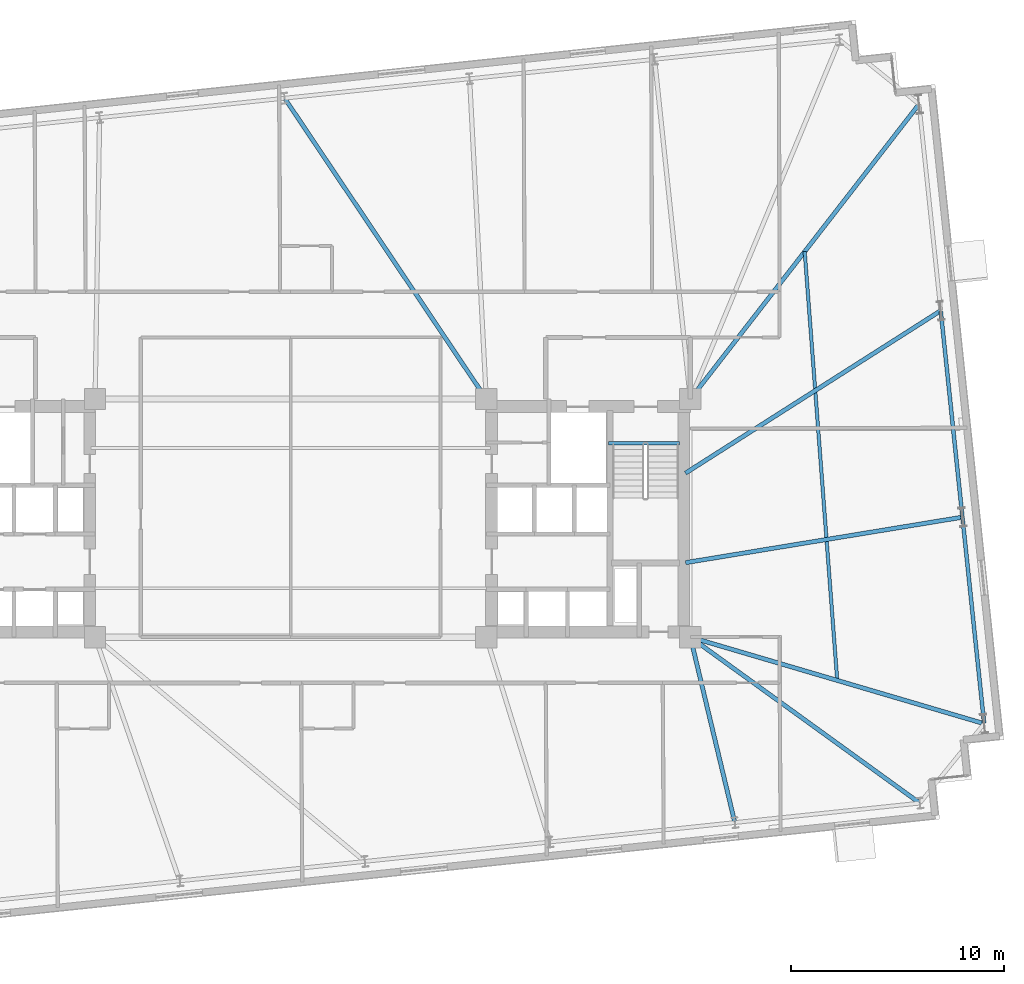
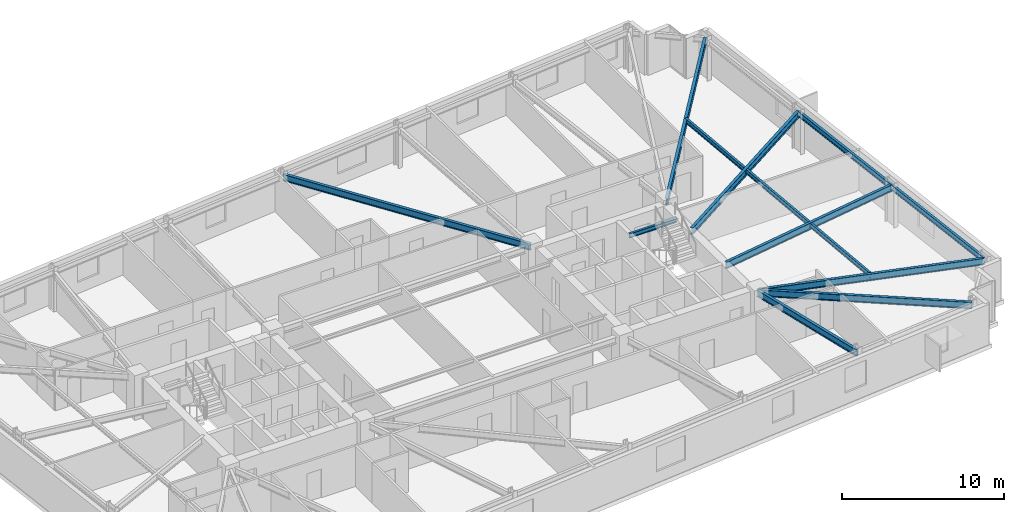
# One storey, part 7 of 18: 11 beams.
"""IFC4 building model written with IfcOpenShell, lengths in metres."""

from ifc_helpers import new_model, si_unit, direction, frame, origin, origin_2d, place, context, subcontext, project, spatial, i_section, extrude, material, material_profile, profile_set, type_object, element, save


model = new_model("IFC4")

# Units and contexts
model_context = context("Model", 3, precision=1e-05, world=origin(), true_north=direction((0.0, 1.0)))
body_context = subcontext(model_context, "Body", "Model", "MODEL_VIEW")
ifc_project = project(units=[si_unit("LENGTHUNIT", "METRE"), si_unit("AREAUNIT", "SQUARE_METRE"), si_unit("VOLUMEUNIT", "CUBIC_METRE"), si_unit("PLANEANGLEUNIT", "RADIAN"), si_unit("MASSUNIT", "GRAM", prefix="KILO")], contexts=[model_context])

# Site, building, storey
site_placement = place(None, origin())
site = spatial("IfcSite", under=ifc_project, at=site_placement, CompositionType="ELEMENT")
building_placement = place(site_placement, origin())
building = spatial("IfcBuilding", under=site, at=building_placement, Name="Qobustan Lattice House", CompositionType="ELEMENT")
storey_placement = place(building_placement, frame((0.0, 0.0, 109.14990234375)))
storey = spatial("IfcBuildingStorey", under=building, at=storey_placement, Name="L30", CompositionType="ELEMENT", Elevation=109.14990234375)

# Beams
ifc_material_1 = material(Name="Steel S355", Category="steel")
ifc_material_profile_1 = material_profile(ifc_material_1, i_section(OverallWidth=0.199951171875, OverallDepth=0.5, WebThickness=0.01025390625, FlangeThickness=0.01611328125, FilletRadius=0.02099609375, at=origin_2d()), Name="IPE500")
ifc_profile_set_1 = profile_set([ifc_material_profile_1], Name="Steel S355")
beam_type_1 = type_object("IfcBeamType", Name="BM-FLG-IPE500", PredefinedType="USERDEFINED", material=ifc_profile_set_1)
beam_1_placement = place(storey_placement, frame((20.885009765625, -14.297607421875, 2.795166015625), z_axis=(-0.233107910855, 0.97245087377, 0.0), x_axis=(-0.97245087377, -0.233107910855, 0.0)))
element("IfcBeam", 1, at=beam_1_placement, inside=storey, type_object=beam_type_1, Name="L30 primary floor girder RAD-S6", ObjectType="GIRDER", PredefinedType="USERDEFINED", context=body_context, shape_type="SweptSolid", body=[
    extrude(i_section(OverallWidth=0.199951171875, OverallDepth=0.5, WebThickness=0.01025390625, FlangeThickness=0.01611328125, FilletRadius=0.02099609375, at=origin_2d()), origin(), (0.0, 0.0, 1.0), 8.9189453125),
])
beam_2_placement = place(storey_placement, frame((29.572509765625, -13.392578125, 2.795166015625), z_axis=(-0.81023705091, 0.586102313024, 0.0), x_axis=(-0.586102313024, -0.81023705091, 0.0)))
element("IfcBeam", 2, at=beam_2_placement, inside=storey, type_object=beam_type_1, Name="L30 primary floor girder RAD-S7E", ObjectType="GIRDER", PredefinedType="USERDEFINED", context=body_context, shape_type="SweptSolid", body=[
    extrude(i_section(OverallWidth=0.199951171875, OverallDepth=0.5, WebThickness=0.01025390625, FlangeThickness=0.01611328125, FilletRadius=0.02099609375, at=origin_2d()), origin(), (0.0, 0.0, 1.0), 13.2705078125),
])
beam_3_placement = place(storey_placement, frame((-0.272705078125, 19.730224609375, 2.795166015625), z_axis=(0.556837669082, -0.830621339896, 0.0), x_axis=(0.830621339896, 0.556837669082, 0.0)))
element("IfcBeam", 3, at=beam_3_placement, inside=storey, type_object=beam_type_1, Name="L30 primary floor girder RAD-N4", ObjectType="GIRDER", PredefinedType="USERDEFINED", context=body_context, shape_type="SweptSolid", body=[
    extrude(i_section(OverallWidth=0.199951171875, OverallDepth=0.5, WebThickness=0.01025390625, FlangeThickness=0.01611328125, FilletRadius=0.02099609375, at=origin_2d()), origin(), (0.0, 0.0, 1.0), 16.986572265625),
])
beam_4_placement = place(storey_placement, frame((29.541015625, 19.44921875, 2.795166015625), z_axis=(-0.612860318028, -0.790191262029, 0.0), x_axis=(0.790191262029, -0.612860318028, 0.0)))
element("IfcBeam", 4, at=beam_4_placement, inside=storey, type_object=beam_type_1, Name="L30 primary floor girder RAD-E4", ObjectType="GIRDER", PredefinedType="USERDEFINED", context=body_context, shape_type="SweptSolid", body=[
    extrude(i_section(OverallWidth=0.199951171875, OverallDepth=0.5, WebThickness=0.01025390625, FlangeThickness=0.01611328125, FilletRadius=0.02099609375, at=origin_2d()), origin(), (0.0, 0.0, 1.0), 17.501220703125),
])
beam_5_placement = place(storey_placement, frame((30.555908203125, 9.742431640625, 2.795166015625), z_axis=(-0.843584351199, -0.536996687525, 0.0), x_axis=(0.536996687525, -0.843584351199, 0.0)))
element("IfcBeam", 5, at=beam_5_placement, inside=storey, type_object=beam_type_1, Name="L30 primary floor girder RAD-E3", ObjectType="GIRDER", PredefinedType="USERDEFINED", context=body_context, shape_type="SweptSolid", body=[
    extrude(i_section(OverallWidth=0.199951171875, OverallDepth=0.5, WebThickness=0.01025390625, FlangeThickness=0.01611328125, FilletRadius=0.02099609375, at=origin_2d()), origin(), (0.0, 0.0, 1.0), 14.20703125),
])
beam_6_placement = place(storey_placement, frame((31.5732421875, 0.03857421875, 2.795166015625), z_axis=(-0.986783828506, -0.162042203761, 0.0), x_axis=(0.162042203761, -0.986783828506, 0.0)))
element("IfcBeam", 6, at=beam_6_placement, inside=storey, type_object=beam_type_1, Name="L30 primary floor girder RAD-E2", ObjectType="GIRDER", PredefinedType="USERDEFINED", context=body_context, shape_type="SweptSolid", body=[
    extrude(i_section(OverallWidth=0.199951171875, OverallDepth=0.5, WebThickness=0.01025390625, FlangeThickness=0.01611328125, FilletRadius=0.02099609375, at=origin_2d()), origin(), (0.0, 0.0, 1.0), 13.172607421875),
])
beam_7_placement = place(storey_placement, frame((32.594970703125, -9.663330078125, 2.795166015625), z_axis=(-0.959254941513, 0.282541956499, 0.0), x_axis=(-0.282541956499, -0.959254941513, 0.0)))
element("IfcBeam", 7, at=beam_7_placement, inside=storey, type_object=beam_type_1, Name="L30 primary floor girder RAD-E1", ObjectType="GIRDER", PredefinedType="USERDEFINED", context=body_context, shape_type="SweptSolid", body=[
    extrude(i_section(OverallWidth=0.199951171875, OverallDepth=0.5, WebThickness=0.01025390625, FlangeThickness=0.01611328125, FilletRadius=0.02099609375, at=origin_2d()), origin(), (0.0, 0.0, 1.0), 14.35595703125),
])
ifc_material_2 = material(Name="Steel S355", Category="steel")
ifc_material_profile_2 = material_profile(ifc_material_2, i_section(OverallWidth=0.159912109375, OverallDepth=0.330078125, WebThickness=0.007568359375, FlangeThickness=0.011474609375, FilletRadius=0.01806640625, at=origin_2d()), Name="IPE330")
ifc_profile_set_2 = profile_set([ifc_material_profile_2], Name="Steel S355")
beam_type_2 = type_object("IfcBeamType", Name="BM-SEC-IPE330", PredefinedType="BEAM", material=ifc_profile_set_2)
beam_8_placement = place(storey_placement, frame((24.177978515625, 12.534423828125, 2.880126953125), z_axis=(0.075712576466, -0.997129683524, 0.0), x_axis=(0.997129683524, 0.075712576466, 0.0)))
element("IfcBeam", 8, at=beam_8_placement, inside=storey, type_object=beam_type_2, Name="L30 east wing secondary beam", PredefinedType="BEAM", context=body_context, shape_type="SweptSolid", body=[
    extrude(i_section(OverallWidth=0.159912109375, OverallDepth=0.330078125, WebThickness=0.007568359375, FlangeThickness=0.011474609375, FilletRadius=0.01806640625, at=origin_2d()), origin(), (0.0, 0.0, 1.0), 20.227783203125),
])
ifc_material_3 = material(Name="Steel S355", Category="steel")
ifc_material_profile_3 = material_profile(ifc_material_3, i_section(OverallWidth=0.159912109375, OverallDepth=0.330078125, WebThickness=0.007568359375, FlangeThickness=0.011474609375, FilletRadius=0.01806640625, at=origin_2d()), Name="IPE330")
ifc_profile_set_3 = profile_set([ifc_material_profile_3], Name="Steel S355")
beam_type_3 = type_object("IfcBeamType", Name="BM-SPD-IPE330", PredefinedType="SPANDREL", material=ifc_profile_set_3)
beam_9_placement = place(storey_placement, frame((14.949951171875, 3.52001953125, 2.880126953125), z_axis=(1.0, 0.0, 0.0), x_axis=(0.0, 1.0, 0.0)))
element("IfcBeam", 9, at=beam_9_placement, inside=storey, type_object=beam_type_3, Name="L30 east stair landing trimmer beam", PredefinedType="SPANDREL", context=body_context, shape_type="SweptSolid", body=[
    extrude(i_section(OverallWidth=0.159912109375, OverallDepth=0.330078125, WebThickness=0.007568359375, FlangeThickness=0.011474609375, FilletRadius=0.01806640625, at=origin_2d()), origin(), (0.0, 0.0, 1.0), 3.35009765625),
])
ifc_material_4 = material(Name="Steel S355", Category="steel")
ifc_material_profile_4 = material_profile(ifc_material_4, i_section(OverallWidth=0.179931640625, OverallDepth=0.39990234375, WebThickness=0.008544921875, FlangeThickness=0.013427734375, FilletRadius=0.02099609375, at=origin_2d()), Name="IPE400")
ifc_profile_set_4 = profile_set([ifc_material_profile_4], Name="Steel S355")
beam_type_4 = type_object("IfcBeamType", Name="BM-SPD-IPE400", PredefinedType="SPANDREL", material=ifc_profile_set_4)
for number, where, z_axis, x_axis, name in (
    (10, (32.6162109375, -9.6455078125, 2.84521484375), (-0.104525214252, 0.994522236848, 0.0), (-0.994522236848, -0.104525214252, 0.0), "L30 perimeter spandrel E1-E2"),
    (11, (31.595458984375, 0.067626953125, 2.84521484375), (-0.10455006589, 0.994519624604, 0.0), (-0.994519624604, -0.10455006589, 0.0), "L30 perimeter spandrel E2-E3"),
):
    element("IfcBeam", number, at=place(storey_placement, frame(where, z_axis=z_axis, x_axis=x_axis)), inside=storey, type_object=beam_type_4, Name=name, PredefinedType="SPANDREL", context=body_context, shape_type="SweptSolid", body=[
        extrude(i_section(OverallWidth=0.179931640625, OverallDepth=0.39990234375, WebThickness=0.008544921875, FlangeThickness=0.013427734375, FilletRadius=0.02099609375, at=origin_2d()), origin(), (0.0, 0.0, 1.0), 9.716552734375),
    ])

save(model, "model.ifc")
